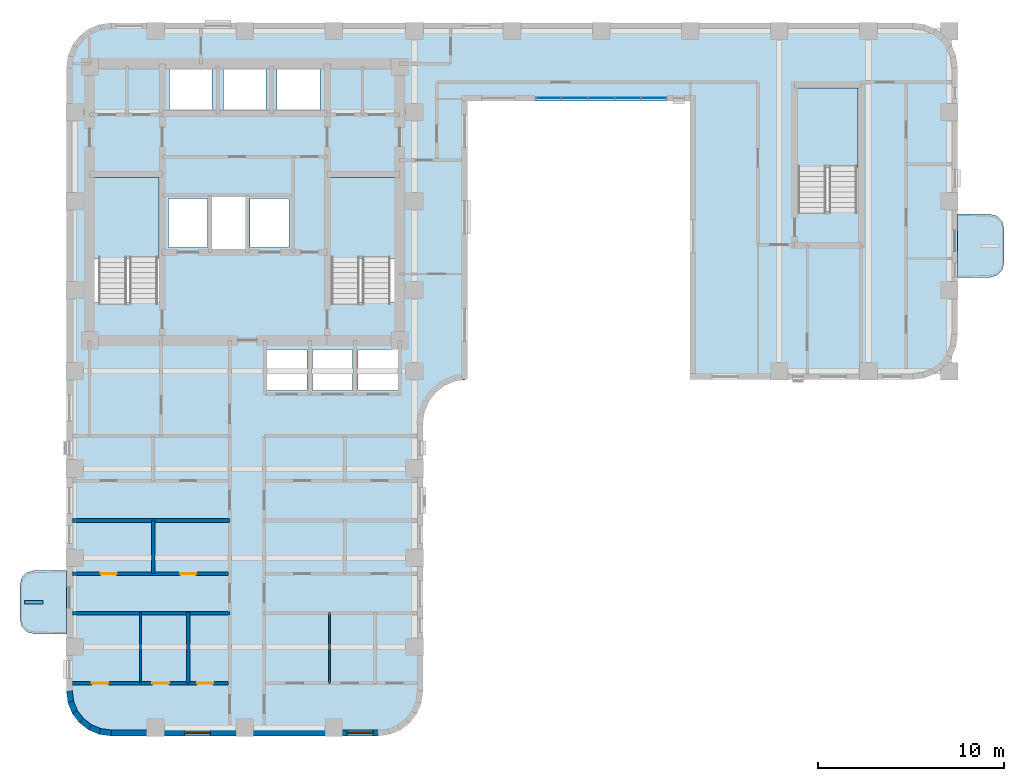
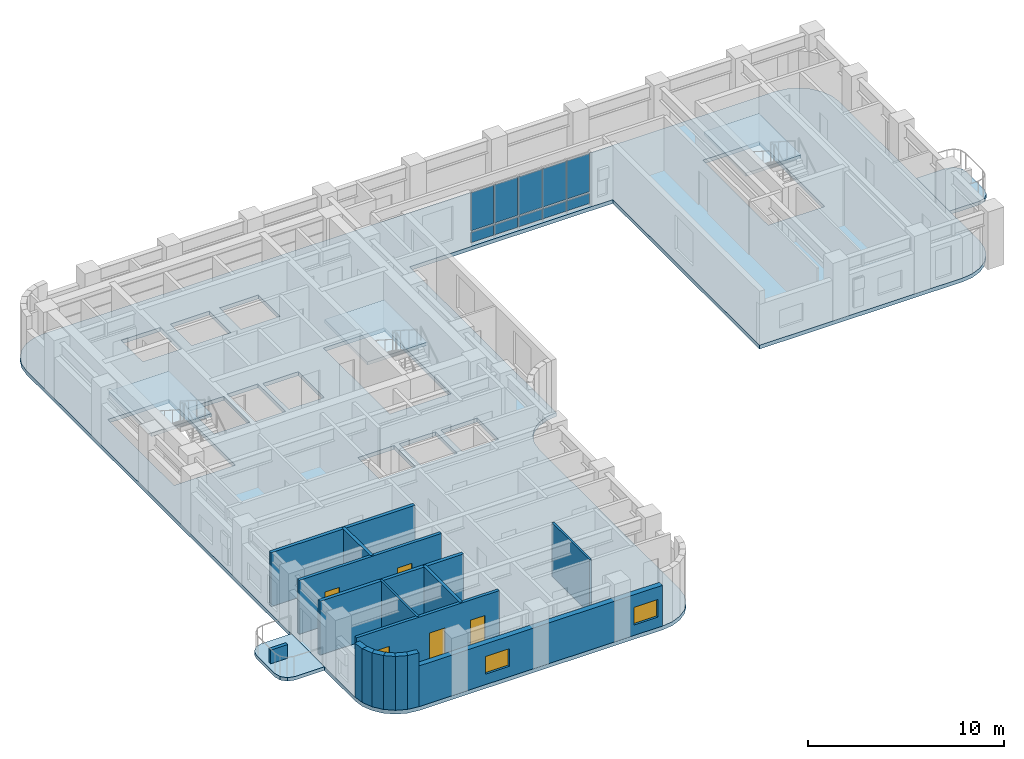
# One storey, part 3 of 11: 16 walls, 10 plates, 6 slabs, 5 doors, 2 windows, 7 openings, 4 elements without a shape of their own.
"""IFC4 building model written with IfcOpenShell, lengths in metres."""

import ifcopenshell
import ifcopenshell.guid

model = None  # the IFC model being written
_history = None  # IfcOwnerHistory: only IFC2X3 demands one
_inside = {}  # id of a spatial element -> (the spatial element, [elements in it])
_under = {}  # id of a project, library or spatial element -> (it, [spatial elements below it])
_declared = {}  # id of a project -> (the project, [libraries it declares])
_typed = {}  # id of a type object -> (the type object, [elements of that type])
_made_of = {}  # id of a material, layer set ... -> (it, [elements and type objects made of it])


def new_model(schema):
    """Start an empty IFC model of exactly this schema.

    Asked for "IFC4X3", IfcOpenShell would pick the latest addendum, in which some entities
    have other attributes; the version numbers below select the first issue.
    IFC2X3 requires an IfcOwnerHistory on every rooted entity: one is made here for all.
    """
    global model, _history
    if schema == "IFC4X3":
        model = ifcopenshell.file(schema_version=(4, 3, 0, 0))
    else:
        model = ifcopenshell.file(schema=schema)
    _inside.clear()
    _under.clear()
    _declared.clear()
    _typed.clear()
    _made_of.clear()
    _history = None
    if model.schema == "IFC2X3":
        org = make("IfcOrganization", Name="unknown")
        user = make(
            "IfcPersonAndOrganization",
            ThePerson=make("IfcPerson", FamilyName="unknown"),
            TheOrganization=org,
        )
        app = make(
            "IfcApplication",
            ApplicationDeveloper=org,
            Version="unknown",
            ApplicationFullName="unknown",
            ApplicationIdentifier="unknown",
        )
        _history = make(
            "IfcOwnerHistory",
            OwningUser=user,
            OwningApplication=app,
            ChangeAction="ADDED",
            CreationDate=0,
        )
    return model


def make(cls, **values):
    """One entity of the class cls with the attributes given. An attribute that is None is left unset."""
    return model.create_entity(
        cls, **{name: value for name, value in values.items() if value is not None}
    )


def rooted(cls, **values):
    """An entity with a GlobalId (a new one), such as an element, a storey or a relation."""
    return make(cls, GlobalId=ifcopenshell.guid.new(), OwnerHistory=_history, **values)


def si_unit(unit_type, name, prefix=None):
    """IfcSIUnit, for example si_unit("LENGTHUNIT", "METRE", prefix="MILLI")."""
    return make("IfcSIUnit", UnitType=unit_type, Prefix=prefix, Name=name)


def assignment(units):
    """IfcUnitAssignment: the units of a project."""
    return None if units is None else make("IfcUnitAssignment", Units=units)


def point(xyz):
    """IfcCartesianPoint."""
    return None if xyz is None else make("IfcCartesianPoint", Coordinates=xyz)


def direction(xyz):
    """IfcDirection."""
    return None if xyz is None else make("IfcDirection", DirectionRatios=xyz)


def frame(location, z_axis=None, x_axis=None):
    """IfcAxis2Placement3D, a coordinate frame: its origin and axes. An axis left out is left unset."""
    return make(
        "IfcAxis2Placement3D",
        Location=point(location),
        Axis=direction(z_axis),
        RefDirection=direction(x_axis),
    )


def frame_2d(location, x_axis=None):
    """IfcAxis2Placement2D, a coordinate frame in the plane: its origin and x axis."""
    return make(
        "IfcAxis2Placement2D", Location=point(location), RefDirection=direction(x_axis)
    )


def origin():
    """The frame at (0, 0, 0) with its axes left unset."""
    return frame((0.0, 0.0, 0.0))


def origin_2d():
    """The frame at (0, 0) in the plane with its x axis left unset."""
    return frame_2d((0.0, 0.0))


def place(relative_to, where):
    """IfcLocalPlacement: puts the frame where relative to a parent placement (None: the world)."""
    return make(
        "IfcLocalPlacement", PlacementRelTo=relative_to, RelativePlacement=where
    )


def context(
    kind, dimensions, precision=None, world=None, true_north=None, identifier=None
):
    """IfcGeometricRepresentationContext, for example the 3D "Model" context."""
    return make(
        "IfcGeometricRepresentationContext",
        ContextIdentifier=identifier,
        ContextType=kind,
        CoordinateSpaceDimension=dimensions,
        Precision=precision,
        WorldCoordinateSystem=world,
        TrueNorth=true_north,
    )


def subcontext(parent, identifier, kind, view, scale=None):
    """IfcGeometricRepresentationSubContext, for example "Body" below "Model"."""
    return make(
        "IfcGeometricRepresentationSubContext",
        ContextIdentifier=identifier,
        ContextType=kind,
        ParentContext=parent,
        TargetScale=scale,
        TargetView=view,
    )


def project(units=None, contexts=None):
    """IfcProject with its units and contexts."""
    return rooted(
        "IfcProject",
        Name="project",
        RepresentationContexts=contexts,
        UnitsInContext=assignment(units),
    )


def spatial(cls, under=None, at=None, **own):
    """A site, building, storey or space (cls), placed at a placement, below another one or the project."""
    s = rooted(cls, ObjectPlacement=at, **own)
    if under is not None:
        _under.setdefault(under.id(), (under, []))[1].append(s)
    return s


def polyline(points):
    """IfcPolyline through the points."""
    return make("IfcPolyline", Points=[point(p) for p in points])


def profile(cls, at=None, kind="AREA", **sizes):
    """A parametric profile (cls). Its sizes go by their IFC names, for example OverallWidth=200.0."""
    return make(cls, ProfileType=kind, Position=at, **sizes)


def rectangle(**sizes):
    """IfcRectangleProfileDef."""
    return profile("IfcRectangleProfileDef", **sizes)


def outline(outer, holes=None, kind="AREA"):
    """IfcArbitraryClosedProfileDef: a profile drawn as a closed curve; with holes, ...WithVoids."""
    if holes is None:
        return make("IfcArbitraryClosedProfileDef", ProfileType=kind, OuterCurve=outer)
    return make(
        "IfcArbitraryProfileDefWithVoids",
        ProfileType=kind,
        OuterCurve=outer,
        InnerCurves=holes,
    )


def extrude(swept, where, along, depth):
    """IfcExtrudedAreaSolid: the profile swept, set in the frame where, extruded along a direction by depth."""
    return make(
        "IfcExtrudedAreaSolid",
        SweptArea=swept,
        Position=where,
        ExtrudedDirection=direction(along),
        Depth=depth,
    )


def shape(context_of_items, identifier, shape_type, items):
    """IfcShapeRepresentation: the items that make up one representation, for example the "Body"."""
    return make(
        "IfcShapeRepresentation",
        ContextOfItems=context_of_items,
        RepresentationIdentifier=identifier,
        RepresentationType=shape_type,
        Items=items,
    )


def material(Name=None, Category=None):
    """IfcMaterial."""
    return make("IfcMaterial", Name=Name, Category=Category)


def layer(
    of_material, thickness, ventilated=None, Name=None, Category=None, Priority=None
):
    """IfcMaterialLayer: one layer of a wall or slab, of a material (None: an air gap)."""
    return make(
        "IfcMaterialLayer",
        Material=of_material,
        LayerThickness=thickness,
        IsVentilated=ventilated,
        Name=Name,
        Category=Category,
        Priority=Priority,
    )


def layer_set(layers, Name=None):
    """IfcMaterialLayerSet."""
    return make("IfcMaterialLayerSet", MaterialLayers=layers, LayerSetName=Name)


def made_of(thing, what):
    """Note that an element or type object is made of a material, layer set ...; save() writes the relation."""
    if what is not None:
        _made_of.setdefault(what.id(), (what, []))[1].append(thing)
    return thing


def type_object(cls, material=None, **own):
    """A type object (cls), such as IfcWallType, which elements share."""
    return made_of(rooted(cls, **own), material)


def element(
    cls,
    number,
    at=None,
    inside=None,
    cuts=None,
    type_object=None,
    material=None,
    context=None,
    identifier="Body",
    shape_type=None,
    held_by="IfcProductDefinitionShape",
    body=None,
    shapes=None,
    **own,
):
    """One element of the class cls, such as IfcWall. Its Tag is "e" and its number.

    at: its placement. inside: the storey or other place that contains it. cuts: it is an
    opening in that element (IfcRelVoidsElement). A single representation is given by context,
    identifier, shape_type and body (its items); several are given by shapes. held_by: the class
    of the entity that holds the representations. save() writes the other relations.
    """
    e = rooted(cls, Tag="e%d" % number, ObjectPlacement=at, **own)
    if body is not None:
        shapes = [shape(context, identifier, shape_type, body)]
    if shapes is not None:
        e.Representation = make(held_by, Representations=shapes)
    if inside is not None:
        _inside.setdefault(inside.id(), (inside, []))[1].append(e)
    if cuts is not None:
        rooted(
            "IfcRelVoidsElement", RelatingBuildingElement=cuts, RelatedOpeningElement=e
        )
    if type_object is not None:
        _typed.setdefault(type_object.id(), (type_object, []))[1].append(e)
    return made_of(e, material)


def fill(opening, filler):
    """IfcRelFillsElement: the door or window that sits in an opening."""
    return rooted(
        "IfcRelFillsElement",
        RelatingOpeningElement=opening,
        RelatedBuildingElement=filler,
    )


def aggregate(whole, parts):
    """IfcRelAggregates: a whole, such as a stair, and the parts it consists of."""
    return rooted("IfcRelAggregates", RelatingObject=whole, RelatedObjects=parts)


def save(model, path):
    """Write the relations noted so far, then the file.

    IfcRelAggregates (storeys below a building ...), IfcRelContainedInSpatialStructure (elements
    in a storey), IfcRelDefinesByType, IfcRelAssociatesMaterial and IfcRelDeclares: one each for
    every whole, place, type object, material and project.
    """
    for whole, parts in _under.values():
        aggregate(whole, parts)
    for where, things in _inside.values():
        rooted(
            "IfcRelContainedInSpatialStructure",
            RelatedElements=things,
            RelatingStructure=where,
        )
    for kind, things in _typed.values():
        rooted("IfcRelDefinesByType", RelatedObjects=things, RelatingType=kind)
    for what, things in _made_of.values():
        rooted("IfcRelAssociatesMaterial", RelatedObjects=things, RelatingMaterial=what)
    for by, libraries in _declared.values():
        rooted("IfcRelDeclares", RelatingContext=by, RelatedDefinitions=libraries)
    model.write(path)


model = new_model("IFC4")

# Units and contexts
model_context = context("Model", 3, precision=1e-05, world=origin(), true_north=direction((0.0, 1.0)))
body_context = subcontext(model_context, "Body", "Model", "MODEL_VIEW")
ifc_project = project(units=[si_unit("LENGTHUNIT", "METRE"), si_unit("AREAUNIT", "SQUARE_METRE"), si_unit("VOLUMEUNIT", "CUBIC_METRE"), si_unit("PLANEANGLEUNIT", "RADIAN"), si_unit("MASSUNIT", "GRAM", prefix="KILO")], contexts=[model_context])

# Site, building, storey
site_placement = place(None, origin())
site = spatial("IfcSite", under=ifc_project, at=site_placement, CompositionType="ELEMENT")
building_placement = place(site_placement, origin())
building = spatial("IfcBuilding", under=site, at=building_placement, Name="Orvandelia Arch Residences", CompositionType="ELEMENT")
storey_placement = place(building_placement, frame((0.0, 0.0, 168.39990234375)))
storey = spatial("IfcBuildingStorey", under=building, at=storey_placement, Name="L44", CompositionType="ELEMENT", Elevation=168.39990234375)

# Curtain wall, plates
ifc_material_1 = material(Name="Anodised Bronze Curtain Wall Assembly")
curtain_wall_type = type_object("IfcCurtainWallType", Name="CW-SYS4-PORTAL", PredefinedType="NOTDEFINED", material=ifc_material_1)
curtain_wall_placement = place(storey_placement, origin())
curtain_wall = element("IfcCurtainWall", 1, at=curtain_wall_placement, inside=storey, type_object=curtain_wall_type, Name="Void-Portal Bridge Curtain Wall L44 1", PredefinedType="NOTDEFINED")
ifc_material_2 = material(Name="Insulated Bronze Aluminium Spandrel Panel", Category="aluminium")
ifc_layer_1 = layer(ifc_material_2, 0.0400390625, Name="Insulated Bronze Aluminium Spandrel Panel", Category="aluminium")
ifc_layer_set_1 = layer_set([ifc_layer_1], Name="Insulated Bronze Aluminium Spandrel Panel")
plate_type_1 = type_object("IfcPlateType", Name="CW-PANEL-SPANDREL", PredefinedType="SHEET", material=ifc_layer_set_1)
plate_1_placement = place(storey_placement, frame((30.77197265625, 43.9599609375, 0.125), z_axis=(0.0, 0.0, 1.0), x_axis=(1.0, 0.0, 0.0)))
plate_1 = element("IfcPlate", 2, at=plate_1_placement, type_object=plate_type_1, Name="Curtain Wall Spandrel Panel CW-L44-1-PS1", PredefinedType="SHEET", context=body_context, shape_type="SweptSolid", body=[
    extrude(rectangle(XDim=1.333984375, YDim=0.0400390625, at=origin_2d()), origin(), (0.0, 0.0, 1.0), 0.62646484375),
])
plate_2_placement = place(storey_placement, frame((32.176025390625, 43.9599609375, 0.125), z_axis=(0.0, 0.0, 1.0), x_axis=(1.0, 0.0, 0.0)))
plate_2 = element("IfcPlate", 3, at=plate_2_placement, type_object=plate_type_1, Name="Curtain Wall Spandrel Panel CW-L44-1-PS2", PredefinedType="SHEET", context=body_context, shape_type="SweptSolid", body=[
    extrude(rectangle(XDim=1.3740234375, YDim=0.0400390625, at=origin_2d()), origin(), (0.0, 0.0, 1.0), 0.62646484375),
])
plate_3_placement = place(storey_placement, frame((33.60009765625, 43.9599609375, 0.125), z_axis=(0.0, 0.0, 1.0), x_axis=(1.0, 0.0, 0.0)))
plate_3 = element("IfcPlate", 4, at=plate_3_placement, type_object=plate_type_1, Name="Curtain Wall Spandrel Panel CW-L44-1-PS3", PredefinedType="SHEET", context=body_context, shape_type="SweptSolid", body=[
    extrude(rectangle(XDim=1.3740234375, YDim=0.0400390625, at=origin_2d()), origin(), (0.0, 0.0, 1.0), 0.62646484375),
])
plate_4_placement = place(storey_placement, frame((35.02392578125, 43.9599609375, 0.125), z_axis=(0.0, 0.0, 1.0), x_axis=(1.0, 0.0, 0.0)))
plate_4 = element("IfcPlate", 5, at=plate_4_placement, type_object=plate_type_1, Name="Curtain Wall Spandrel Panel CW-L44-1-PS4", PredefinedType="SHEET", context=body_context, shape_type="SweptSolid", body=[
    extrude(rectangle(XDim=1.3740234375, YDim=0.0400390625, at=origin_2d()), origin(), (0.0, 0.0, 1.0), 0.62646484375),
])
plate_5_placement = place(storey_placement, frame((36.427978515625, 43.9599609375, 0.125), z_axis=(0.0, 0.0, 1.0), x_axis=(1.0, 0.0, 0.0)))
plate_5 = element("IfcPlate", 6, at=plate_5_placement, type_object=plate_type_1, Name="Curtain Wall Spandrel Panel CW-L44-1-PS5", PredefinedType="SHEET", context=body_context, shape_type="SweptSolid", body=[
    extrude(rectangle(XDim=1.333984375, YDim=0.0400390625, at=origin_2d()), origin(), (0.0, 0.0, 1.0), 0.62646484375),
])
ifc_material_3 = material(Name="Low-E Laminated Double Glazing", Category="glass")
ifc_layer_2 = layer(ifc_material_3, 0.031982421875, Name="Low-E Laminated Double Glazing", Category="glass")
ifc_layer_set_2 = layer_set([ifc_layer_2], Name="Low-E Laminated Double Glazing")
plate_type_2 = type_object("IfcPlateType", Name="CW-PANEL-VISION", PredefinedType="CURTAIN_PANEL", material=ifc_layer_set_2)
plate_6_placement = place(storey_placement, frame((30.77197265625, 43.9599609375, 0.861572265625), z_axis=(0.0, 0.0, 1.0), x_axis=(1.0, 0.0, 0.0)))
plate_6 = element("IfcPlate", 7, at=plate_6_placement, type_object=plate_type_2, Name="Curtain Wall Vision Glass Panel CW-L44-1-PV1", PredefinedType="CURTAIN_PANEL", context=body_context, shape_type="SweptSolid", body=[
    extrude(rectangle(XDim=1.333984375, YDim=0.031982421875, at=origin_2d()), origin(), (0.0, 0.0, 1.0), 2.37353515625),
])
plate_7_placement = place(storey_placement, frame((32.176025390625, 43.9599609375, 0.861572265625), z_axis=(0.0, 0.0, 1.0), x_axis=(1.0, 0.0, 0.0)))
plate_7 = element("IfcPlate", 8, at=plate_7_placement, type_object=plate_type_2, Name="Curtain Wall Vision Glass Panel CW-L44-1-PV2", PredefinedType="CURTAIN_PANEL", context=body_context, shape_type="SweptSolid", body=[
    extrude(rectangle(XDim=1.3740234375, YDim=0.031982421875, at=origin_2d()), origin(), (0.0, 0.0, 1.0), 2.37353515625),
])
plate_8_placement = place(storey_placement, frame((33.60009765625, 43.9599609375, 0.861572265625), z_axis=(0.0, 0.0, 1.0), x_axis=(1.0, 0.0, 0.0)))
plate_8 = element("IfcPlate", 9, at=plate_8_placement, type_object=plate_type_2, Name="Curtain Wall Vision Glass Panel CW-L44-1-PV3", PredefinedType="CURTAIN_PANEL", context=body_context, shape_type="SweptSolid", body=[
    extrude(rectangle(XDim=1.3740234375, YDim=0.031982421875, at=origin_2d()), origin(), (0.0, 0.0, 1.0), 2.37353515625),
])
plate_9_placement = place(storey_placement, frame((35.02392578125, 43.9599609375, 0.861572265625), z_axis=(0.0, 0.0, 1.0), x_axis=(1.0, 0.0, 0.0)))
plate_9 = element("IfcPlate", 10, at=plate_9_placement, type_object=plate_type_2, Name="Curtain Wall Vision Glass Panel CW-L44-1-PV4", PredefinedType="CURTAIN_PANEL", context=body_context, shape_type="SweptSolid", body=[
    extrude(rectangle(XDim=1.3740234375, YDim=0.031982421875, at=origin_2d()), origin(), (0.0, 0.0, 1.0), 2.37353515625),
])
plate_10_placement = place(storey_placement, frame((36.427978515625, 43.9599609375, 0.861572265625), z_axis=(0.0, 0.0, 1.0), x_axis=(1.0, 0.0, 0.0)))
plate_10 = element("IfcPlate", 11, at=plate_10_placement, type_object=plate_type_2, Name="Curtain Wall Vision Glass Panel CW-L44-1-PV5", PredefinedType="CURTAIN_PANEL", context=body_context, shape_type="SweptSolid", body=[
    extrude(rectangle(XDim=1.333984375, YDim=0.031982421875, at=origin_2d()), origin(), (0.0, 0.0, 1.0), 2.37353515625),
])
aggregate(curtain_wall, [plate_1, plate_6, plate_2, plate_7, plate_3, plate_8, plate_4, plate_9, plate_5, plate_10])

# Slabs
ifc_material_4 = material(Name="Precast concrete C40/50", Category="concrete")
ifc_layer_3 = layer(ifc_material_4, 0.219970703125, Name="Precast concrete C40/50", Category="concrete")
ifc_layer_set_3 = layer_set([ifc_layer_3], Name="Precast concrete C40/50")
slab_type_1 = type_object("IfcSlabType", Name="SLB-BAL-220", PredefinedType="USERDEFINED", material=ifc_layer_set_3)
slab_1_placement = place(storey_placement, frame((0.0, 0.0, -0.219970703125)))
element("IfcSlab", 12, at=slab_1_placement, inside=storey, type_object=slab_type_1, Name="Tree Balcony Cantilever Slab BAL-L44-W1", ObjectType="BALCONY", PredefinedType="USERDEFINED", context=body_context, shape_type="SweptSolid", body=[
    extrude(outline(polyline([(4.800048828125, 15.10009765625), (4.800048828125, 18.5), (3.050048828125, 18.5), (2.675048828125, 18.3994140625), (2.400390625, 18.125), (2.300048828125, 17.75), (2.300048828125, 15.85009765625), (2.400390625, 15.47509765625), (2.675048828125, 15.200439453125), (3.050048828125, 15.10009765625), (4.800048828125, 15.10009765625)])), origin(), (0.0, 0.0, 1.0), 0.219970703125),
])
slab_2_placement = place(storey_placement, frame((0.0, 0.0, -0.219970703125)))
element("IfcSlab", 13, at=slab_2_placement, inside=storey, type_object=slab_type_1, Name="Tree Balcony Cantilever Slab BAL-L44-E1", ObjectType="BALCONY", PredefinedType="USERDEFINED", context=body_context, shape_type="SweptSolid", body=[
    extrude(outline(polyline([(52.800048828125, 37.699951171875), (52.800048828125, 34.300048828125), (54.550048828125, 34.300048828125), (54.925048828125, 34.400390625), (55.199462890625, 34.675048828125), (55.300048828125, 35.050048828125), (55.300048828125, 36.949951171875), (55.199462890625, 37.324951171875), (54.925048828125, 37.599609375), (54.550048828125, 37.699951171875), (52.800048828125, 37.699951171875)])), origin(), (0.0, 0.0, 1.0), 0.219970703125),
])

# Stair, slab
ifc_material_5 = material(Name="Concrete C40/50", Category="concrete")
stair_type = type_object("IfcStairType", Name="STAIR-RC-DOGLEG", PredefinedType="HALF_TURN_STAIR", material=ifc_material_5)
stair_1_placement = place(storey_placement, origin())
stair_1 = element("IfcStair", 14, at=stair_1_placement, inside=storey, type_object=stair_type, Name="L44 Protected Exit Stair ST-1", PredefinedType="HALF_TURN_STAIR")
ifc_layer_4 = layer(ifc_material_5, 0.219970703125, Name="Concrete C40/50", Category="concrete")
ifc_layer_set_4 = layer_set([ifc_layer_4], Name="Concrete C40/50")
slab_type_2 = type_object("IfcSlabType", Name="SLB-LANDING-220", PredefinedType="LANDING", material=ifc_layer_set_4)
slab_3_placement = place(storey_placement, frame((0.0, 0.0, 1.60009765625)))
slab_3 = element("IfcSlab", 15, at=slab_3_placement, type_object=slab_type_2, Name="ST-1 landing 1", PredefinedType="LANDING", context=body_context, shape_type="SweptSolid", body=[
    extrude(outline(polyline([(9.800048828125, 35.31005859375), (9.800048828125, 39.68994140625), (6.260009765625, 39.68994140625), (6.260009765625, 35.31005859375), (9.800048828125, 35.31005859375)])), origin(), (0.0, 0.0, 1.0), 0.199951171875),
])
aggregate(stair_1, [slab_3])

stair_2_placement = place(storey_placement, origin())
stair_2 = element("IfcStair", 16, at=stair_2_placement, inside=storey, type_object=stair_type, Name="L44 Protected Exit Stair ST-2", PredefinedType="HALF_TURN_STAIR")
slab_4_placement = place(storey_placement, frame((0.0, 0.0, 1.60009765625)))
slab_4 = element("IfcSlab", 17, at=slab_4_placement, type_object=slab_type_2, Name="ST-2 landing 1", PredefinedType="LANDING", context=body_context, shape_type="SweptSolid", body=[
    extrude(outline(polyline([(22.5400390625, 35.31005859375), (22.5400390625, 39.68994140625), (19.0, 39.68994140625), (19.0, 35.31005859375), (22.5400390625, 35.31005859375)])), origin(), (0.0, 0.0, 1.0), 0.199951171875),
])
aggregate(stair_2, [slab_4])

stair_3_placement = place(storey_placement, origin())
stair_3 = element("IfcStair", 18, at=stair_3_placement, inside=storey, type_object=stair_type, Name="L44 East Wing Exit Stair ST-3", PredefinedType="HALF_TURN_STAIR")
slab_5_placement = place(storey_placement, frame((0.0, 0.0, 1.60009765625)))
slab_5 = element("IfcSlab", 19, at=slab_5_placement, type_object=slab_type_2, Name="ST-3 landing 1", PredefinedType="LANDING", context=body_context, shape_type="SweptSolid", body=[
    extrude(outline(polyline([(47.43994140625, 40.2099609375), (47.43994140625, 44.5), (44.179931640625, 44.5), (44.179931640625, 40.2099609375), (47.43994140625, 40.2099609375)])), origin(), (0.0, 0.0, 1.0), 0.199951171875),
])
aggregate(stair_3, [slab_5])

# Slab
ifc_layer_5 = layer(ifc_material_5, 0.239990234375, Name="Concrete C40/50", Category="concrete")
ifc_layer_set_5 = layer_set([ifc_layer_5], Name="Concrete C40/50")
slab_type_3 = type_object("IfcSlabType", Name="SLB-TWR-240", PredefinedType="FLOOR", material=ifc_layer_set_5)
slab_6_placement = place(storey_placement, frame((0.0, 0.0, -0.239990234375)))
element("IfcSlab", 20, at=slab_6_placement, inside=storey, type_object=slab_type_3, Name="Structural Floor Slab L44-1", PredefinedType="FLOOR", context=body_context, shape_type="SweptSolid", body=[
    extrude(outline(polyline([(4.800048828125, 12.0), (4.8818359375, 11.37890625), (5.12158203125, 10.800048828125), (5.5029296875, 10.302978515625), (6.0, 9.92138671875), (6.578857421875, 9.681884765625), (7.199951171875, 9.60009765625), (21.60009765625, 9.60009765625), (22.22119140625, 9.681884765625), (22.800048828125, 9.92138671875), (23.297119140625, 10.302978515625), (23.678466796875, 10.800048828125), (23.918212890625, 11.37890625), (24.0, 12.0), (24.0, 26.39990234375), (24.081787109375, 27.021240234375), (24.321533203125, 27.60009765625), (24.702880859375, 28.09716796875), (25.199951171875, 28.478515625), (25.77880859375, 28.71826171875), (26.39990234375, 28.800048828125), (26.39990234375, 43.800048828125), (38.39990234375, 43.800048828125), (38.39990234375, 28.800048828125), (50.39990234375, 28.800048828125), (51.021240234375, 28.8818359375), (51.60009765625, 29.12158203125), (52.09716796875, 29.5029296875), (52.478515625, 30.0), (52.71826171875, 30.578857421875), (52.800048828125, 31.199951171875), (52.800048828125, 45.60009765625), (52.71826171875, 46.22119140625), (52.478515625, 46.800048828125), (52.09716796875, 47.297119140625), (51.60009765625, 47.678466796875), (51.021240234375, 47.918212890625), (50.39990234375, 48.0), (7.199951171875, 48.0), (6.578857421875, 47.918212890625), (6.0, 47.678466796875), (5.5029296875, 47.297119140625), (5.12158203125, 46.800048828125), (4.8818359375, 46.22119140625), (4.800048828125, 45.60009765625), (4.800048828125, 12.0)]), holes=[polyline([(6.219970703125, 32.949951171875), (9.840087890625, 32.949951171875), (9.840087890625, 39.72998046875), (6.219970703125, 39.72998046875), (6.219970703125, 32.949951171875)]), polyline([(18.9599609375, 32.949951171875), (22.580078125, 32.949951171875), (22.580078125, 39.72998046875), (18.9599609375, 39.72998046875), (18.9599609375, 32.949951171875)]), polyline([(44.139892578125, 37.85009765625), (47.47998046875, 37.85009765625), (47.47998046875, 44.5400390625), (44.139892578125, 44.5400390625), (44.139892578125, 37.85009765625)]), polyline([(12.639892578125, 35.81005859375), (14.4599609375, 35.81005859375), (14.4599609375, 38.639892578125), (12.639892578125, 38.639892578125), (12.639892578125, 35.81005859375)]), polyline([(10.300048828125, 35.89990234375), (12.39990234375, 35.89990234375), (12.39990234375, 38.550048828125), (10.300048828125, 38.550048828125), (10.300048828125, 35.89990234375)]), polyline([(14.699951171875, 35.89990234375), (16.800048828125, 35.89990234375), (16.800048828125, 38.550048828125), (14.699951171875, 38.550048828125), (14.699951171875, 35.89990234375)]), polyline([(10.35009765625, 43.300048828125), (12.64990234375, 43.300048828125), (12.64990234375, 45.5), (10.35009765625, 45.5), (10.35009765625, 43.300048828125)]), polyline([(13.25, 43.300048828125), (15.550048828125, 43.300048828125), (15.550048828125, 45.5), (13.25, 45.5), (13.25, 43.300048828125)]), polyline([(16.14990234375, 43.300048828125), (18.449951171875, 43.300048828125), (18.449951171875, 45.5), (16.14990234375, 45.5), (16.14990234375, 43.300048828125)]), polyline([(15.60009765625, 28.199951171875), (17.75, 28.199951171875), (17.75, 30.39990234375), (15.60009765625, 30.39990234375), (15.60009765625, 28.199951171875)]), polyline([(18.050048828125, 28.199951171875), (20.199951171875, 28.199951171875), (20.199951171875, 30.39990234375), (18.050048828125, 30.39990234375), (18.050048828125, 28.199951171875)]), polyline([(20.5, 28.199951171875), (22.64990234375, 28.199951171875), (22.64990234375, 30.39990234375), (20.5, 30.39990234375), (20.5, 28.199951171875)])]), origin(), (0.0, 0.0, 1.0), 0.239990234375),
])

# Walls
ifc_layer_6 = layer(ifc_material_5, 0.199951171875, Name="Concrete C40/50", Category="concrete")
ifc_layer_set_6 = layer_set([ifc_layer_6], Name="Concrete C40/50")
wall_type_1 = type_object("IfcWallType", Name="WL-DEM-200", PredefinedType="SOLIDWALL", material=ifc_layer_set_6)
for number, where, z_axis, x_axis, name in (
    (21, (5.1201171875, 16.199951171875, 0.0), (0.0, 0.0, 1.0), (1.0, 0.0, 0.0), "Interior Partition Wall WL-L44-DEM-WL-162"),
    (22, (5.1201171875, 21.199951171875, 0.0), (0.0, 0.0, 1.0), (1.0, 0.0, 0.0), "Interior Partition Wall WL-L44-DEM-WL-212"),
):
    element("IfcWall", number, at=place(storey_placement, frame(where, z_axis=z_axis, x_axis=x_axis)), inside=storey, type_object=wall_type_1, Name=name, PredefinedType="SOLIDWALL", context=body_context, shape_type="SweptSolid", body=[
        extrude(rectangle(XDim=8.47998046875, YDim=0.199951171875, at=frame_2d((4.239990234375, 0.0))), origin(), (0.0, 0.0, 1.0), 3.360107421875),
    ])

# Wall, openings, windows
ifc_layer_7 = layer(ifc_material_4, 0.320068359375, Name="Precast concrete C40/50", Category="concrete")
ifc_layer_set_7 = layer_set([ifc_layer_7], Name="Precast concrete C40/50")
wall_type_2 = type_object("IfcWallType", Name="WL-EXT-STONE-320", PredefinedType="STANDARD", material=ifc_layer_set_7)
wall_1_placement = place(storey_placement, frame((21.60009765625, 9.760009765625, 0.0), z_axis=(0.0, 0.0, 1.0), x_axis=(-1.0, 0.0, 0.0)))
wall_1 = element("IfcWall", 23, at=wall_1_placement, inside=storey, type_object=wall_type_2, Name="Coral-Limestone Precast Facade Wall L44-039", PredefinedType="STANDARD", context=body_context, shape_type="SweptSolid", body=[
    extrude(rectangle(XDim=14.400146484375, YDim=0.320068359375, at=frame_2d((7.2001953125, 0.0))), origin(), (0.0, 0.0, 1.0), 2.5400390625),
])
opening_1_placement = place(wall_1_placement, frame((0.282470703125, 0.0, 0.64990234375)))
opening_1 = element("IfcOpeningElement", 24, at=opening_1_placement, cuts=wall_1, Name="Opening W10", PredefinedType="OPENING", context=body_context, shape_type="SweptSolid", body=[
    extrude(rectangle(XDim=1.39990234375, YDim=1.10009765625, at=frame_2d((0.699951171875, 0.550048828125))), frame((0.0, 0.169921875, 0.0), z_axis=(0.0, -1.0, 0.0), x_axis=(1.0, 0.0, 0.0)), (0.0, 0.0, 1.0), 0.340087890625),
])
opening_2_placement = place(wall_1_placement, frame((9.052490234375, 0.0, 0.64990234375)))
opening_2 = element("IfcOpeningElement", 25, at=opening_2_placement, cuts=wall_1, Name="Opening W10", PredefinedType="OPENING", context=body_context, shape_type="SweptSolid", body=[
    extrude(rectangle(XDim=1.39990234375, YDim=1.10009765625, at=frame_2d((0.699951171875, 0.550048828125))), frame((0.0, 0.169921875, 0.0), z_axis=(0.0, -1.0, 0.0), x_axis=(1.0, 0.0, 0.0)), (0.0, 0.0, 1.0), 0.340087890625),
])
ifc_material_6 = material(Name="Tempered Low-E Insulated Glazing", Category="glass")
window_type = type_object("IfcWindowType", Name="WIN-CLR-1400x1100", PartitioningType="SINGLE_PANEL", PredefinedType="WINDOW", material=ifc_material_6)
window_1_placement = place(opening_1_placement, origin())
window_1 = element("IfcWindow", 26, at=window_1_placement, inside=storey, type_object=window_type, Name="Recessed Punched Window L44-022", OverallHeight=1.10009765625, OverallWidth=1.39990234375, PartitioningType="SINGLE_PANEL", PredefinedType="WINDOW", context=body_context, shape_type="SweptSolid", body=[
    extrude(rectangle(XDim=1.39990234375, YDim=1.10009765625, at=frame_2d((0.699951171875, 0.550048828125))), frame((0.0, 0.030029296875, 0.0), z_axis=(0.0, -1.0, 0.0), x_axis=(1.0, 0.0, 0.0)), (0.0, 0.0, 1.0), 0.06005859375),
])
fill(opening_1, window_1)
window_2_placement = place(opening_2_placement, origin())
window_2 = element("IfcWindow", 27, at=window_2_placement, inside=storey, type_object=window_type, Name="Recessed Punched Window L44-023", OverallHeight=1.10009765625, OverallWidth=1.39990234375, PartitioningType="SINGLE_PANEL", PredefinedType="WINDOW", context=body_context, shape_type="SweptSolid", body=[
    extrude(rectangle(XDim=1.39990234375, YDim=1.10009765625, at=frame_2d((0.699951171875, 0.550048828125))), frame((0.0, 0.030029296875, 0.0), z_axis=(0.0, -1.0, 0.0), x_axis=(1.0, 0.0, 0.0)), (0.0, 0.0, 1.0), 0.06005859375),
])
fill(opening_2, window_2)

# Walls
wall_2_placement = place(storey_placement, frame((7.220947265625, 9.758544921875, 0.0), z_axis=(0.0, 0.0, 1.0), x_axis=(-0.991447664465, 0.130504898859, 0.0)))
element("IfcWall", 28, at=wall_2_placement, inside=storey, type_object=wall_type_2, Name="Coral-Limestone Precast Facade Wall L44-040", PredefinedType="STANDARD", context=body_context, shape_type="SweptSolid", body=[
    extrude(rectangle(XDim=0.626708984375, YDim=0.320068359375, at=frame_2d((0.3134765625, 0.0))), origin(), (0.0, 0.0, 1.0), 3.360107421875),
])
wall_3_placement = place(storey_placement, frame((6.639892578125, 9.82958984375, 0.0), z_axis=(0.0, 0.0, 1.0), x_axis=(-0.923836271867, 0.382787856107, 0.0)))
element("IfcWall", 29, at=wall_3_placement, inside=storey, type_object=wall_type_2, Name="Coral-Limestone Precast Facade Wall L44-041", PredefinedType="STANDARD", context=body_context, shape_type="SweptSolid", body=[
    extrude(rectangle(XDim=0.626220703125, YDim=0.320068359375, at=frame_2d((0.31298828125, 0.0))), origin(), (0.0, 0.0, 1.0), 3.360107421875),
])
wall_4_placement = place(storey_placement, frame((6.097412109375, 10.04833984375, 0.0), z_axis=(0.0, 0.0, 1.0), x_axis=(-0.793405610854, 0.608693302629, 0.0)))
element("IfcWall", 30, at=wall_4_placement, inside=storey, type_object=wall_type_2, Name="Coral-Limestone Precast Facade Wall L44-042", PredefinedType="STANDARD", context=body_context, shape_type="SweptSolid", body=[
    extrude(rectangle(XDim=0.62646484375, YDim=0.320068359375, at=frame_2d((0.313232421875, 0.0))), origin(), (0.0, 0.0, 1.0), 3.360107421875),
])
wall_5_placement = place(storey_placement, frame((5.6298828125, 10.400390625, 0.0), z_axis=(0.0, 0.0, 1.0), x_axis=(-0.608938521285, 0.7932174212, 0.0)))
element("IfcWall", 31, at=wall_5_placement, inside=storey, type_object=wall_type_2, Name="Coral-Limestone Precast Facade Wall L44-043", PredefinedType="STANDARD", context=body_context, shape_type="SweptSolid", body=[
    extrude(rectangle(XDim=0.626708984375, YDim=0.320068359375, at=frame_2d((0.3134765625, 0.0))), origin(), (0.0, 0.0, 1.0), 3.360107421875),
])
wall_6_placement = place(storey_placement, frame((5.269287109375, 10.861083984375, 0.0), z_axis=(0.0, 0.0, 1.0), x_axis=(-0.382650053678, 0.92389335771, 0.0)))
element("IfcWall", 32, at=wall_6_placement, inside=storey, type_object=wall_type_2, Name="Coral-Limestone Precast Facade Wall L44-044", PredefinedType="STANDARD", context=body_context, shape_type="SweptSolid", body=[
    extrude(rectangle(XDim=0.62646484375, YDim=0.320068359375, at=frame_2d((0.313232421875, 0.0))), origin(), (0.0, 0.0, 1.0), 3.360107421875),
])
wall_7_placement = place(storey_placement, frame((5.040283203125, 11.399658203125, 0.0), z_axis=(0.0, 0.0, 1.0), x_axis=(-0.130504898859, 0.991447664465, 0.0)))
element("IfcWall", 33, at=wall_7_placement, inside=storey, type_object=wall_type_2, Name="Coral-Limestone Precast Facade Wall L44-045", PredefinedType="STANDARD", context=body_context, shape_type="SweptSolid", body=[
    extrude(rectangle(XDim=0.626708984375, YDim=0.320068359375, at=frame_2d((0.3134765625, 0.0))), origin(), (0.0, 0.0, 1.0), 3.360107421875),
])
ifc_material_7 = material(Name="Lightweight Gypsum Stud Partition")
ifc_layer_8 = layer(ifc_material_7, 0.1201171875, Name="Lightweight Gypsum Stud Partition")
ifc_layer_set_8 = layer_set([ifc_layer_8], Name="Lightweight Gypsum Stud Partition")
wall_type_3 = type_object("IfcWallType", Name="WL-PART-120", PredefinedType="PARTITIONING", material=ifc_layer_set_8)
wall_8_placement = place(storey_placement, frame((8.791015625, 12.444091796875, 0.0), z_axis=(0.0, 0.0, 1.0), x_axis=(0.0, 1.0, 0.0)))
element("IfcWall", 34, at=wall_8_placement, inside=storey, type_object=wall_type_3, Name="Interior Partition Wall WL-L44-U01-V1", PredefinedType="PARTITIONING", context=body_context, shape_type="SweptSolid", body=[
    extrude(rectangle(XDim=3.7958984375, YDim=0.1201171875, at=frame_2d((1.89794921875, 0.0))), origin(), (0.0, 0.0, 1.0), 3.360107421875),
])
wall_9_placement = place(storey_placement, frame((18.967041015625, 12.43408203125, 0.0), z_axis=(0.0, 0.0, 1.0), x_axis=(0.0, 1.0, 0.0)))
element("IfcWall", 35, at=wall_9_placement, inside=storey, type_object=wall_type_3, Name="Interior Partition Wall WL-L44-U04-V1", PredefinedType="PARTITIONING", context=body_context, shape_type="SweptSolid", body=[
    extrude(rectangle(XDim=3.805908203125, YDim=0.1201171875, at=frame_2d((1.90283203125, 0.0))), origin(), (0.0, 0.0, 1.0), 3.360107421875),
])
ifc_layer_9 = layer(ifc_material_4, 0.199951171875, Name="Precast concrete C40/50", Category="concrete")
ifc_layer_set_9 = layer_set([ifc_layer_9], Name="Precast concrete C40/50")
wall_type_4 = type_object("IfcWallType", Name="WL-PLANTER-200", PredefinedType="MOVABLE", material=ifc_layer_set_9)
wall_10_placement = place(storey_placement, frame((2.550048828125, 16.800048828125, 0.0), z_axis=(0.0, 0.0, 1.0), x_axis=(1.0, 0.0, 0.0)))
element("IfcWall", 36, at=wall_10_placement, inside=storey, type_object=wall_type_4, Name="Balcony Precast Tree Planter BAL-L44-W1", PredefinedType="MOVABLE", context=body_context, shape_type="SweptSolid", body=[
    extrude(rectangle(XDim=1.0, YDim=0.199951171875, at=frame_2d((0.5, 0.0))), origin(), (0.0, 0.0, 1.0), 0.85009765625),
])

# Wall, openings, doors
ifc_material_8 = material(Name="Moisture-Resistant Plumbing Wall")
ifc_layer_10 = layer(ifc_material_8, 0.179931640625, Name="Moisture-Resistant Plumbing Wall")
ifc_layer_set_10 = layer_set([ifc_layer_10], Name="Moisture-Resistant Plumbing Wall")
wall_type_5 = type_object("IfcWallType", Name="WL-WET-180", PredefinedType="PLUMBINGWALL", material=ifc_layer_set_10)
wall_11_placement = place(storey_placement, frame((5.1201171875, 12.444091796875, 0.0), z_axis=(0.0, 0.0, 1.0), x_axis=(1.0, 0.0, 0.0)))
wall_11 = element("IfcWall", 37, at=wall_11_placement, inside=storey, type_object=wall_type_5, Name="Interior Partition Wall WL-L44-U01-HZ", PredefinedType="PLUMBINGWALL", context=body_context, shape_type="SweptSolid", body=[
    extrude(rectangle(XDim=8.419921875, YDim=0.179931640625, at=frame_2d((4.2099609375, 0.0))), origin(), (0.0, 0.0, 1.0), 3.360107421875),
])
opening_3_placement = place(wall_11_placement, frame((1.04638671875, 0.0, 0.0)))
opening_3 = element("IfcOpeningElement", 38, at=opening_3_placement, cuts=wall_11, Name="Opening D3", PredefinedType="OPENING", context=body_context, shape_type="SweptSolid", body=[
    extrude(rectangle(XDim=0.89990234375, YDim=2.14990234375, at=frame_2d((0.449951171875, 1.074951171875))), frame((0.0, 0.10009765625, 0.0), z_axis=(0.0, -1.0, 0.0), x_axis=(1.0, 0.0, 0.0)), (0.0, 0.0, 1.0), 0.199951171875),
])
opening_4_placement = place(wall_11_placement, frame((4.307373046875, 0.0, 0.0)))
opening_4 = element("IfcOpeningElement", 39, at=opening_4_placement, cuts=wall_11, Name="Opening D3", PredefinedType="OPENING", context=body_context, shape_type="SweptSolid", body=[
    extrude(rectangle(XDim=0.89990234375, YDim=2.14990234375, at=frame_2d((0.449951171875, 1.074951171875))), frame((0.0, 0.10009765625, 0.0), z_axis=(0.0, -1.0, 0.0), x_axis=(1.0, 0.0, 0.0)), (0.0, 0.0, 1.0), 0.199951171875),
])
opening_5_placement = place(wall_11_placement, frame((6.723388671875, 0.0, 0.0)))
opening_5 = element("IfcOpeningElement", 40, at=opening_5_placement, cuts=wall_11, Name="Opening D4", PredefinedType="OPENING", context=body_context, shape_type="SweptSolid", body=[
    extrude(rectangle(XDim=0.860107421875, YDim=2.10009765625, at=frame_2d((0.43017578125, 1.050048828125))), frame((0.0, 0.10009765625, 0.0), z_axis=(0.0, -1.0, 0.0), x_axis=(1.0, 0.0, 0.0)), (0.0, 0.0, 1.0), 0.199951171875),
])
ifc_material_9 = material(Name="Engineered Timber Flush Door", Category="wood")
door_type_1 = type_object("IfcDoorType", Name="DR-INT-900", OperationType="NOTDEFINED", PredefinedType="DOOR", material=ifc_material_9)
door_1_placement = place(opening_3_placement, origin())
door_1 = element("IfcDoor", 41, at=door_1_placement, inside=storey, type_object=door_type_1, Name="DR-L44-U01-BD1", OperationType="SINGLE_SWING_LEFT", OverallHeight=2.14990234375, OverallWidth=0.89990234375, PredefinedType="DOOR", context=body_context, shape_type="SweptSolid", body=[
    extrude(rectangle(XDim=0.89990234375, YDim=2.14990234375, at=frame_2d((0.449951171875, 1.074951171875))), frame((0.0, 0.02490234375, 0.0), z_axis=(0.0, -1.0, 0.0), x_axis=(1.0, 0.0, 0.0)), (0.0, 0.0, 1.0), 0.050048828125),
])
fill(opening_3, door_1)
door_2_placement = place(opening_4_placement, origin())
door_2 = element("IfcDoor", 42, at=door_2_placement, inside=storey, type_object=door_type_1, Name="DR-L44-U01-KIT", OperationType="SINGLE_SWING_RIGHT", OverallHeight=2.14990234375, OverallWidth=0.89990234375, PredefinedType="DOOR", context=body_context, shape_type="SweptSolid", body=[
    extrude(rectangle(XDim=0.89990234375, YDim=2.14990234375, at=frame_2d((0.449951171875, 1.074951171875))), frame((0.0, 0.02490234375, 0.0), z_axis=(0.0, -1.0, 0.0), x_axis=(1.0, 0.0, 0.0)), (0.0, 0.0, 1.0), 0.050048828125),
])
fill(opening_4, door_2)
ifc_material_10 = material(Name="Moisture-Sealed Timber Bathroom Door", Category="wood")
door_type_2 = type_object("IfcDoorType", Name="DR-WET-900", OperationType="NOTDEFINED", PredefinedType="DOOR", material=ifc_material_10)
door_3_placement = place(opening_5_placement, origin())
door_3 = element("IfcDoor", 43, at=door_3_placement, inside=storey, type_object=door_type_2, Name="DR-L44-U01-BTH", OperationType="SINGLE_SWING_LEFT", OverallHeight=2.10009765625, OverallWidth=0.860107421875, PredefinedType="DOOR", context=body_context, shape_type="SweptSolid", body=[
    extrude(rectangle(XDim=0.860107421875, YDim=2.10009765625, at=frame_2d((0.43017578125, 1.050048828125))), frame((0.0, 0.02490234375, 0.0), z_axis=(0.0, -1.0, 0.0), x_axis=(1.0, 0.0, 0.0)), (0.0, 0.0, 1.0), 0.050048828125),
])
fill(opening_5, door_3)

# Wall
wall_12_placement = place(storey_placement, frame((11.35498046875, 12.444091796875, 0.0), z_axis=(0.0, 0.0, 1.0), x_axis=(0.0, 1.0, 0.0)))
element("IfcWall", 44, at=wall_12_placement, inside=storey, type_object=wall_type_5, Name="Interior Partition Wall WL-L44-U01-V2", PredefinedType="PLUMBINGWALL", context=body_context, shape_type="SweptSolid", body=[
    extrude(rectangle(XDim=3.7958984375, YDim=0.179931640625, at=frame_2d((1.89794921875, 0.0))), origin(), (0.0, 0.0, 1.0), 3.360107421875),
])

# Wall, openings, doors
wall_13_placement = place(storey_placement, frame((5.1201171875, 18.340087890625, 0.0), z_axis=(0.0, 0.0, 1.0), x_axis=(1.0, 0.0, 0.0)))
wall_13 = element("IfcWall", 45, at=wall_13_placement, inside=storey, type_object=wall_type_5, Name="Interior Partition Wall WL-L44-U02-HZ", PredefinedType="PLUMBINGWALL", context=body_context, shape_type="SweptSolid", body=[
    extrude(rectangle(XDim=8.419921875, YDim=0.179931640625, at=frame_2d((4.2099609375, 0.0))), origin(), (0.0, 0.0, 1.0), 3.360107421875),
])
opening_6_placement = place(wall_13_placement, frame((1.52001953125, 0.0, 0.0)))
opening_6 = element("IfcOpeningElement", 46, at=opening_6_placement, cuts=wall_13, Name="Opening D4", PredefinedType="OPENING", context=body_context, shape_type="SweptSolid", body=[
    extrude(rectangle(XDim=0.860107421875, YDim=2.10009765625, at=frame_2d((0.43017578125, 1.050048828125))), frame((0.0, 0.10009765625, 0.0), z_axis=(0.0, -1.0, 0.0), x_axis=(1.0, 0.0, 0.0)), (0.0, 0.0, 1.0), 0.199951171875),
])
opening_7_placement = place(wall_13_placement, frame((5.81005859375, 0.0, 0.0)))
opening_7 = element("IfcOpeningElement", 47, at=opening_7_placement, cuts=wall_13, Name="Opening D4", PredefinedType="OPENING", context=body_context, shape_type="SweptSolid", body=[
    extrude(rectangle(XDim=0.860107421875, YDim=2.10009765625, at=frame_2d((0.43017578125, 1.050048828125))), frame((0.0, 0.10009765625, 0.0), z_axis=(0.0, -1.0, 0.0), x_axis=(1.0, 0.0, 0.0)), (0.0, 0.0, 1.0), 0.199951171875),
])
door_4_placement = place(opening_6_placement, origin())
door_4 = element("IfcDoor", 48, at=door_4_placement, inside=storey, type_object=door_type_2, Name="DR-L44-U02-KIT", OperationType="SINGLE_SWING_RIGHT", OverallHeight=2.10009765625, OverallWidth=0.860107421875, PredefinedType="DOOR", context=body_context, shape_type="SweptSolid", body=[
    extrude(rectangle(XDim=0.860107421875, YDim=2.10009765625, at=frame_2d((0.43017578125, 1.050048828125))), frame((0.0, 0.02490234375, 0.0), z_axis=(0.0, -1.0, 0.0), x_axis=(1.0, 0.0, 0.0)), (0.0, 0.0, 1.0), 0.050048828125),
])
fill(opening_6, door_4)
door_5_placement = place(opening_7_placement, origin())
door_5 = element("IfcDoor", 49, at=door_5_placement, inside=storey, type_object=door_type_2, Name="DR-L44-U02-BTH", OperationType="SINGLE_SWING_LEFT", OverallHeight=2.10009765625, OverallWidth=0.860107421875, PredefinedType="DOOR", context=body_context, shape_type="SweptSolid", body=[
    extrude(rectangle(XDim=0.860107421875, YDim=2.10009765625, at=frame_2d((0.43017578125, 1.050048828125))), frame((0.0, 0.02490234375, 0.0), z_axis=(0.0, -1.0, 0.0), x_axis=(1.0, 0.0, 0.0)), (0.0, 0.0, 1.0), 0.050048828125),
])
fill(opening_7, door_5)

# Wall
wall_14_placement = place(storey_placement, frame((9.469970703125, 18.340087890625, 0.0), z_axis=(0.0, 0.0, 1.0), x_axis=(0.0, 1.0, 0.0)))
element("IfcWall", 50, at=wall_14_placement, inside=storey, type_object=wall_type_5, Name="Interior Partition Wall WL-L44-U02-V1", PredefinedType="PLUMBINGWALL", context=body_context, shape_type="SweptSolid", body=[
    extrude(rectangle(XDim=2.89990234375, YDim=0.179931640625, at=frame_2d((1.449951171875, 0.0))), origin(), (0.0, 0.0, 1.0), 3.360107421875),
])

save(model, "model.ifc")
